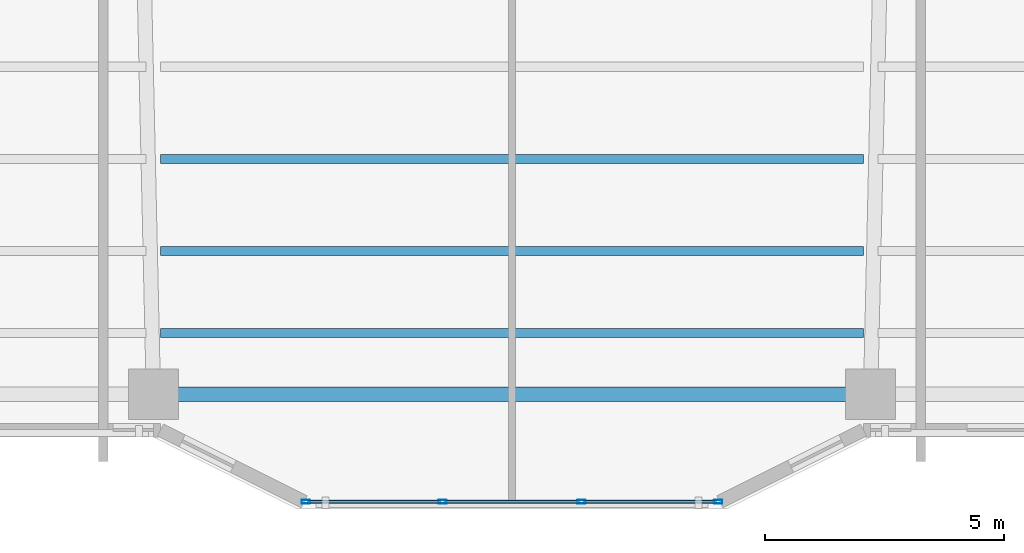
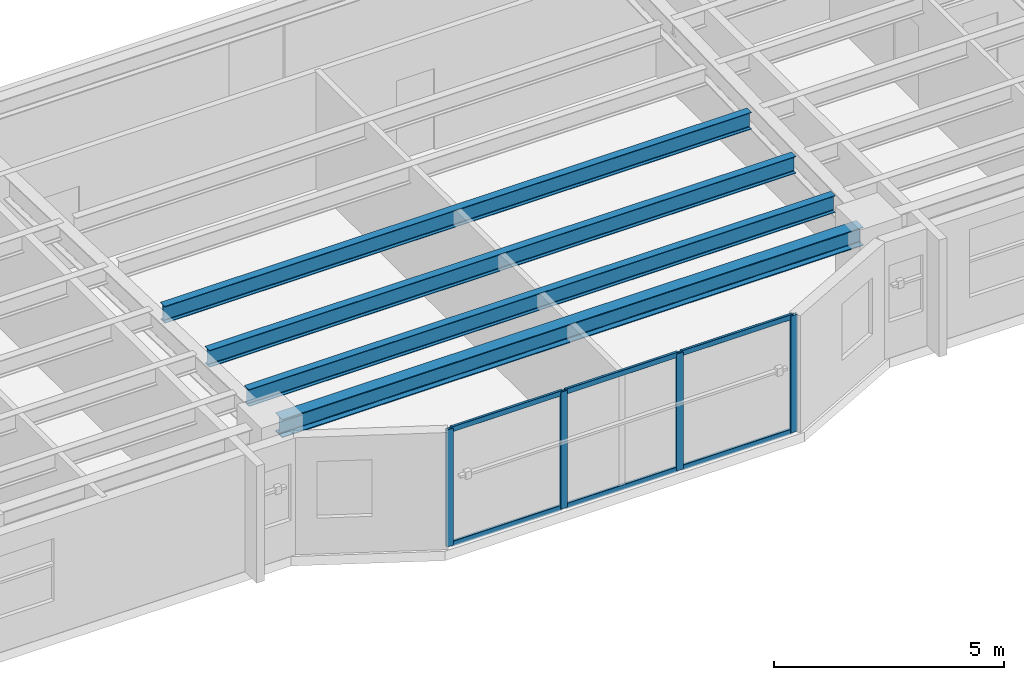
# One storey, part 2 of 18: 10 members, 4 beams, 1 element without a shape of its own.
"""IFC4 building model written with IfcOpenShell, lengths in metres."""

from ifc_helpers import new_model, si_unit, direction, frame, origin, origin_2d, place, context, subcontext, project, spatial, hollow_rectangle, i_section, extrude, material, layer, layer_set, material_profile, profile_set, type_object, element, aggregate, save


model = new_model("IFC4")

# Units and contexts
model_context = context("Model", 3, precision=1e-05, world=origin(), true_north=direction((0.0, 1.0)))
body_context = subcontext(model_context, "Body", "Model", "MODEL_VIEW")
ifc_project = project(units=[si_unit("LENGTHUNIT", "METRE"), si_unit("AREAUNIT", "SQUARE_METRE"), si_unit("VOLUMEUNIT", "CUBIC_METRE"), si_unit("PLANEANGLEUNIT", "RADIAN"), si_unit("MASSUNIT", "GRAM", prefix="KILO")], contexts=[model_context])

# Site, building, storey
site_placement = place(None, origin())
site = spatial("IfcSite", under=ifc_project, at=site_placement, CompositionType="ELEMENT")
building_placement = place(site_placement, origin())
building = spatial("IfcBuilding", under=site, at=building_placement, Name="Tarnavaz Court Tower", CompositionType="ELEMENT")
storey_placement = place(building_placement, frame((0.0, 0.0, 105.10009765625)))
storey = spatial("IfcBuildingStorey", under=building, at=storey_placement, Name="L28", CompositionType="ELEMENT", Elevation=105.10009765625)

# Beams
ifc_material_1 = material(Name="Steel S355", Category="steel")
ifc_material_profile_1 = material_profile(ifc_material_1, i_section(OverallWidth=0.18994140625, OverallDepth=0.449951171875, WebThickness=0.009521484375, FlangeThickness=0.0146484375, FilletRadius=0.02099609375, at=origin_2d()), Name="IPE 450")
ifc_profile_set_1 = profile_set([ifc_material_profile_1], Name="Steel S355")
beam_type_1 = type_object("IfcBeamType", Name="BM-J-IPE450", PredefinedType="JOIST", material=ifc_profile_set_1)
for number, where, z_axis, x_axis, name in (
    (1, (-7.35009765625, -16.3779296875, 2.875), (1.0, 0.0, 0.0), (0.0, 1.0, 0.0), "L28 Beam JS3-2"),
    (2, (-7.35009765625, -18.303955078125, 2.875), (1.0, 0.0, 0.0), (0.0, 1.0, 0.0), "L28 Beam JS4-2"),
    (3, (-7.35009765625, -20.01611328125, 2.875), (1.0, 0.0, 0.0), (0.0, 1.0, 0.0), "L28 Beam JS5-2"),
):
    element("IfcBeam", number, at=place(storey_placement, frame(where, z_axis=z_axis, x_axis=x_axis)), inside=storey, type_object=beam_type_1, Name=name, PredefinedType="JOIST", context=body_context, shape_type="SweptSolid", body=[
        extrude(i_section(OverallWidth=0.18994140625, OverallDepth=0.449951171875, WebThickness=0.009521484375, FlangeThickness=0.0146484375, FilletRadius=0.02099609375, at=origin_2d()), origin(), (0.0, 0.0, 1.0), 14.7001953125),
    ])
ifc_material_profile_2 = material_profile(ifc_material_1, i_section(OverallWidth=0.300048828125, OverallDepth=0.489990234375, WebThickness=0.011962890625, FlangeThickness=0.02294921875, FilletRadius=0.027099609375, at=origin_2d()), Name="HEA 500")
ifc_profile_set_2 = profile_set([ifc_material_profile_2], Name="Steel S355")
beam_type_2 = type_object("IfcBeamType", Name="BM-SP-HEA500", PredefinedType="SPANDREL", material=ifc_profile_set_2)
beam_placement = place(storey_placement, frame((-7.280029296875, -21.300048828125, 2.85498046875), z_axis=(1.0, 0.0, 0.0), x_axis=(0.0, 1.0, 0.0)))
element("IfcBeam", 4, at=beam_placement, inside=storey, type_object=beam_type_2, Name="L28 Beam PR-PS-2-PS-3", PredefinedType="SPANDREL", context=body_context, shape_type="SweptSolid", body=[
    extrude(i_section(OverallWidth=0.300048828125, OverallDepth=0.489990234375, WebThickness=0.011962890625, FlangeThickness=0.02294921875, FilletRadius=0.027099609375, at=origin_2d()), origin(), (0.0, 0.0, 1.0), 14.56005859375),
])

# Curtain wall, members
ifc_material_2 = material(Name="Anodised Aluminium 6063-T6 and Solar Low-E Glazing", Category="aluminium")
ifc_layer = layer(ifc_material_2, 0.179931640625)
ifc_layer_set = layer_set([ifc_layer], Name="Anodised Aluminium 6063-T6 and Solar Low-E Glazing")
curtain_wall_type = type_object("IfcCurtainWallType", Name="CW-SYS-02", PredefinedType="NOTDEFINED", material=ifc_layer_set)
curtain_wall_placement = place(storey_placement, origin())
curtain_wall = element("IfcCurtainWall", 5, at=curtain_wall_placement, inside=storey, type_object=curtain_wall_type, Name="L28 Iwan Prow Curtain Wall 17", PredefinedType="NOTDEFINED")
ifc_material_3 = material(Name="Anodised Aluminium 6063-T6", Category="aluminium")
ifc_material_profile_3 = material_profile(ifc_material_3, hollow_rectangle(XDim=0.074951171875, YDim=0.179931640625, WallThickness=0.0048828125, InnerFilletRadius=0.0048828125, OuterFilletRadius=0.010009765625, at=origin_2d()), Name="ALU RHS 180X75X5")
ifc_profile_set_3 = profile_set([ifc_material_profile_3], Name="Anodised Aluminium 6063-T6")
member_type_1 = type_object("IfcMemberType", Name="CW-MUL-180", PredefinedType="MULLION", material=ifc_profile_set_3)
member_1_placement = place(storey_placement, frame((4.3125, -23.550048828125, 0.0), z_axis=(0.0, 0.0, 1.0), x_axis=(0.0, -1.0, 0.0)))
member_1 = element("IfcMember", 6, at=member_1_placement, type_object=member_type_1, Name="CW mullion 1", PredefinedType="MULLION", context=body_context, shape_type="SweptSolid", body=[
    extrude(hollow_rectangle(XDim=0.074951171875, YDim=0.179931640625, WallThickness=0.0048828125, InnerFilletRadius=0.0048828125, OuterFilletRadius=0.010009765625, at=origin_2d()), origin(), (0.0, 0.0, 1.0), 3.099853515625),
])
member_2_placement = place(storey_placement, frame((1.449951171875, -23.550048828125, 0.0), z_axis=(0.0, 0.0, 1.0), x_axis=(0.0, -1.0, 0.0)))
member_2 = element("IfcMember", 7, at=member_2_placement, type_object=member_type_1, Name="CW mullion 2", PredefinedType="MULLION", context=body_context, shape_type="SweptSolid", body=[
    extrude(hollow_rectangle(XDim=0.074951171875, YDim=0.179931640625, WallThickness=0.0048828125, InnerFilletRadius=0.0048828125, OuterFilletRadius=0.010009765625, at=origin_2d()), origin(), (0.0, 0.0, 1.0), 3.099853515625),
])
member_3_placement = place(storey_placement, frame((-1.449951171875, -23.550048828125, 0.0), z_axis=(0.0, 0.0, 1.0), x_axis=(0.0, -1.0, 0.0)))
member_3 = element("IfcMember", 8, at=member_3_placement, type_object=member_type_1, Name="CW mullion 3", PredefinedType="MULLION", context=body_context, shape_type="SweptSolid", body=[
    extrude(hollow_rectangle(XDim=0.074951171875, YDim=0.179931640625, WallThickness=0.0048828125, InnerFilletRadius=0.0048828125, OuterFilletRadius=0.010009765625, at=origin_2d()), origin(), (0.0, 0.0, 1.0), 3.099853515625),
])
member_4_placement = place(storey_placement, frame((-4.3125, -23.550048828125, 0.0), z_axis=(0.0, 0.0, 1.0), x_axis=(0.0, -1.0, 0.0)))
member_4 = element("IfcMember", 9, at=member_4_placement, type_object=member_type_1, Name="CW mullion 4", PredefinedType="MULLION", context=body_context, shape_type="SweptSolid", body=[
    extrude(hollow_rectangle(XDim=0.074951171875, YDim=0.179931640625, WallThickness=0.0048828125, InnerFilletRadius=0.0048828125, OuterFilletRadius=0.010009765625, at=origin_2d()), origin(), (0.0, 0.0, 1.0), 3.099853515625),
])
ifc_material_profile_4 = material_profile(ifc_material_3, hollow_rectangle(XDim=0.06494140625, YDim=0.139892578125, WallThickness=0.00390625, InnerFilletRadius=0.00390625, OuterFilletRadius=0.008056640625, at=origin_2d()), Name="ALU RHS 140X65X4")
ifc_profile_set_4 = profile_set([ifc_material_profile_4], Name="Anodised Aluminium 6063-T6")
member_type_2 = type_object("IfcMemberType", Name="CW-TRN-140", PredefinedType="USERDEFINED", material=ifc_profile_set_4)
member_5_placement = place(storey_placement, frame((4.27490234375, -23.550048828125, 0.032470703125), z_axis=(-1.0, 0.0, 0.0), x_axis=(0.0, -1.0, 0.0)))
member_5 = element("IfcMember", 10, at=member_5_placement, type_object=member_type_2, Name="CW transom 1.1", ObjectType="TRANSOM", PredefinedType="USERDEFINED", context=body_context, shape_type="SweptSolid", body=[
    extrude(hollow_rectangle(XDim=0.06494140625, YDim=0.139892578125, WallThickness=0.00390625, InnerFilletRadius=0.00390625, OuterFilletRadius=0.008056640625, at=origin_2d()), origin(), (0.0, 0.0, 1.0), 2.787353515625),
])
member_6_placement = place(storey_placement, frame((4.27490234375, -23.550048828125, 3.0673828125), z_axis=(-1.0, 0.0, 0.0), x_axis=(0.0, -1.0, 0.0)))
member_6 = element("IfcMember", 11, at=member_6_placement, type_object=member_type_2, Name="CW transom 1.2", ObjectType="TRANSOM", PredefinedType="USERDEFINED", context=body_context, shape_type="SweptSolid", body=[
    extrude(hollow_rectangle(XDim=0.06494140625, YDim=0.139892578125, WallThickness=0.00390625, InnerFilletRadius=0.00390625, OuterFilletRadius=0.008056640625, at=origin_2d()), origin(), (0.0, 0.0, 1.0), 2.787353515625),
])
member_7_placement = place(storey_placement, frame((1.41259765625, -23.550048828125, 0.032470703125), z_axis=(-1.0, 0.0, 0.0), x_axis=(0.0, -1.0, 0.0)))
member_7 = element("IfcMember", 12, at=member_7_placement, type_object=member_type_2, Name="CW transom 2.1", ObjectType="TRANSOM", PredefinedType="USERDEFINED", context=body_context, shape_type="SweptSolid", body=[
    extrude(hollow_rectangle(XDim=0.06494140625, YDim=0.139892578125, WallThickness=0.00390625, InnerFilletRadius=0.00390625, OuterFilletRadius=0.008056640625, at=origin_2d()), origin(), (0.0, 0.0, 1.0), 2.8251953125),
])
member_8_placement = place(storey_placement, frame((1.41259765625, -23.550048828125, 3.0673828125), z_axis=(-1.0, 0.0, 0.0), x_axis=(0.0, -1.0, 0.0)))
member_8 = element("IfcMember", 13, at=member_8_placement, type_object=member_type_2, Name="CW transom 2.2", ObjectType="TRANSOM", PredefinedType="USERDEFINED", context=body_context, shape_type="SweptSolid", body=[
    extrude(hollow_rectangle(XDim=0.06494140625, YDim=0.139892578125, WallThickness=0.00390625, InnerFilletRadius=0.00390625, OuterFilletRadius=0.008056640625, at=origin_2d()), origin(), (0.0, 0.0, 1.0), 2.8251953125),
])
member_9_placement = place(storey_placement, frame((-1.487548828125, -23.550048828125, 0.032470703125), z_axis=(-1.0, 0.0, 0.0), x_axis=(0.0, -1.0, 0.0)))
member_9 = element("IfcMember", 14, at=member_9_placement, type_object=member_type_2, Name="CW transom 3.1", ObjectType="TRANSOM", PredefinedType="USERDEFINED", context=body_context, shape_type="SweptSolid", body=[
    extrude(hollow_rectangle(XDim=0.06494140625, YDim=0.139892578125, WallThickness=0.00390625, InnerFilletRadius=0.00390625, OuterFilletRadius=0.008056640625, at=origin_2d()), origin(), (0.0, 0.0, 1.0), 2.787353515625),
])
member_10_placement = place(storey_placement, frame((-1.487548828125, -23.550048828125, 3.0673828125), z_axis=(-1.0, 0.0, 0.0), x_axis=(0.0, -1.0, 0.0)))
member_10 = element("IfcMember", 15, at=member_10_placement, type_object=member_type_2, Name="CW transom 3.2", ObjectType="TRANSOM", PredefinedType="USERDEFINED", context=body_context, shape_type="SweptSolid", body=[
    extrude(hollow_rectangle(XDim=0.06494140625, YDim=0.139892578125, WallThickness=0.00390625, InnerFilletRadius=0.00390625, OuterFilletRadius=0.008056640625, at=origin_2d()), origin(), (0.0, 0.0, 1.0), 2.787353515625),
])
aggregate(curtain_wall, [member_1, member_2, member_3, member_4, member_5, member_6, member_7, member_8, member_9, member_10])

save(model, "model.ifc")
